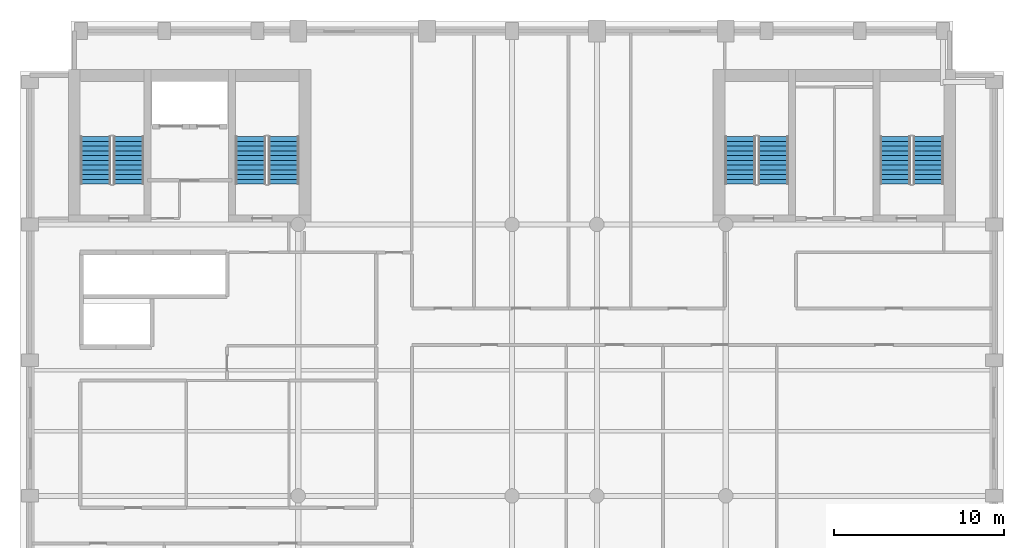
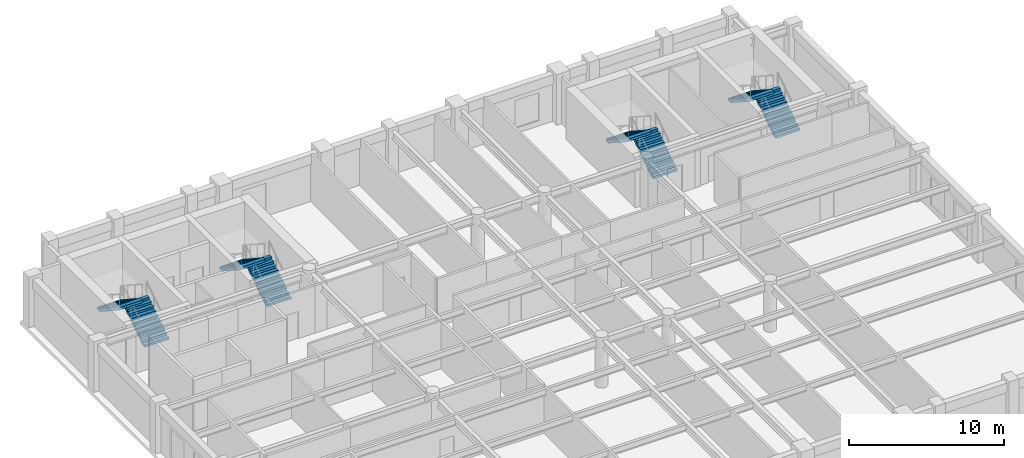
# One storey, part 6 of 8: 8 stair flights, 4 elements without a shape of their own.
"""IFC4 building model written with IfcOpenShell, lengths in metres."""

from ifc_helpers import new_model, si_unit, direction, frame, origin, place, context, subcontext, project, spatial, polyline, outline, extrude, material, type_object, element, aggregate, save


model = new_model("IFC4")

# Units and contexts
model_context = context("Model", 3, precision=1e-05, world=origin(), true_north=direction((0.0, 1.0)))
body_context = subcontext(model_context, "Body", "Model", "MODEL_VIEW")
ifc_project = project(units=[si_unit("LENGTHUNIT", "METRE"), si_unit("AREAUNIT", "SQUARE_METRE"), si_unit("VOLUMEUNIT", "CUBIC_METRE"), si_unit("PLANEANGLEUNIT", "RADIAN"), si_unit("MASSUNIT", "GRAM", prefix="KILO")], contexts=[model_context])

# Site, building, storey
site_placement = place(None, origin())
site = spatial("IfcSite", under=ifc_project, at=site_placement, CompositionType="ELEMENT")
building_placement = place(site_placement, origin())
building = spatial("IfcBuilding", under=site, at=building_placement, Name="Sulina Concourse Tower", CompositionType="ELEMENT")
storey_placement = place(building_placement, frame((0.0, 0.0, 222.60009765625)))
storey = spatial("IfcBuildingStorey", under=building, at=storey_placement, Name="L54", CompositionType="ELEMENT", Elevation=222.60009765625)

# Stair, stair flights
ifc_material_1 = material(Name="Concrete C50/60", Category="concrete")
stair_type_1 = type_object("IfcStairType", Name="Portal & Podium Core Exit Stair 1820mm", PredefinedType="HALF_TURN_STAIR", material=ifc_material_1)
stair_1_placement = place(storey_placement, origin())
stair_1 = element("IfcStair", 1, at=stair_1_placement, inside=storey, type_object=stair_type_1, Name="L54 ST-3", PredefinedType="HALF_TURN_STAIR")
ifc_material_2 = material(Name="Concrete C50/60", Category="concrete")
stair_flight_type_1 = type_object("IfcStairFlightType", Name="Portal & Podium Core Exit Stair 1820mm Flight", PredefinedType="STRAIGHT", material=ifc_material_2)
stair_flight_1_placement = place(storey_placement, frame((44.405029296875, 36.375, 0.0), z_axis=(0.0, 0.0, 1.0), x_axis=(0.0, 1.0, 0.0)))
stair_flight_1 = element("IfcStairFlight", 2, at=stair_flight_1_placement, type_object=stair_flight_type_1, Name="ST-3 flight 1", NumberOfRisers=11, NumberOfTreads=10, PredefinedType="STRAIGHT", RiserHeight=0.181818182, TreadLength=0.28, context=body_context, shape_type="SweptSolid", body=[
    extrude(outline(polyline([(0.0, 0.0), (0.0, 0.181884765625), (0.280029296875, 0.181884765625), (0.280029296875, 0.363525390625), (0.56005859375, 0.363525390625), (0.56005859375, 0.54541015625), (0.840087890625, 0.54541015625), (0.840087890625, 0.727294921875), (1.1201171875, 0.727294921875), (1.1201171875, 0.9091796875), (1.39990234375, 0.9091796875), (1.39990234375, 1.0908203125), (1.679931640625, 1.0908203125), (1.679931640625, 1.272705078125), (1.9599609375, 1.272705078125), (1.9599609375, 1.45458984375), (2.239990234375, 1.45458984375), (2.239990234375, 1.636474609375), (2.52001953125, 1.636474609375), (2.52001953125, 1.818115234375), (2.800048828125, 1.818115234375), (2.800048828125, 2.0), (2.800048828125, 1.603759765625), (0.330322265625, 0.0), (0.0, 0.0)])), frame((0.0, 0.89990234375, 0.0), z_axis=(0.0, -1.0, 0.0), x_axis=(1.0, 0.0, 0.0)), (0.0, 0.0, 1.0), 1.800048828125),
])
stair_flight_2_placement = place(storey_placement, frame((42.455078125, 39.175048828125, 2.0), z_axis=(0.0, 0.0, 1.0), x_axis=(0.0, -1.0, 0.0)))
stair_flight_2 = element("IfcStairFlight", 3, at=stair_flight_2_placement, type_object=stair_flight_type_1, Name="ST-3 flight 2", NumberOfRisers=11, NumberOfTreads=10, PredefinedType="STRAIGHT", RiserHeight=0.181818182, TreadLength=0.28, context=body_context, shape_type="SweptSolid", body=[
    extrude(outline(polyline([(0.0, 0.0), (0.0, 0.181884765625), (0.280029296875, 0.181884765625), (0.280029296875, 0.363525390625), (0.56005859375, 0.363525390625), (0.56005859375, 0.54541015625), (0.840087890625, 0.54541015625), (0.840087890625, 0.727294921875), (1.1201171875, 0.727294921875), (1.1201171875, 0.9091796875), (1.39990234375, 0.9091796875), (1.39990234375, 1.0908203125), (1.679931640625, 1.0908203125), (1.679931640625, 1.272705078125), (1.9599609375, 1.272705078125), (1.9599609375, 1.45458984375), (2.239990234375, 1.45458984375), (2.239990234375, 1.636474609375), (2.52001953125, 1.636474609375), (2.52001953125, 1.818115234375), (2.800048828125, 1.818115234375), (2.800048828125, 2.0), (2.800048828125, 1.603759765625), (0.330322265625, 0.0), (0.0, 0.0)])), frame((0.0, 0.89990234375, 0.0), z_axis=(0.0, -1.0, 0.0), x_axis=(1.0, 0.0, 0.0)), (0.0, 0.0, 1.0), 1.800048828125),
])
aggregate(stair_1, [stair_flight_1, stair_flight_2])

stair_2_placement = place(storey_placement, origin())
stair_2 = element("IfcStair", 4, at=stair_2_placement, inside=storey, type_object=stair_type_1, Name="L54 ST-4", PredefinedType="HALF_TURN_STAIR")
stair_flight_3_placement = place(storey_placement, frame((53.544921875, 36.375, 0.0), z_axis=(0.0, 0.0, 1.0), x_axis=(0.0, 1.0, 0.0)))
stair_flight_3 = element("IfcStairFlight", 5, at=stair_flight_3_placement, type_object=stair_flight_type_1, Name="ST-4 flight 1", NumberOfRisers=11, NumberOfTreads=10, PredefinedType="STRAIGHT", RiserHeight=0.181818182, TreadLength=0.28, context=body_context, shape_type="SweptSolid", body=[
    extrude(outline(polyline([(0.0, 0.0), (0.0, 0.181884765625), (0.280029296875, 0.181884765625), (0.280029296875, 0.363525390625), (0.56005859375, 0.363525390625), (0.56005859375, 0.54541015625), (0.840087890625, 0.54541015625), (0.840087890625, 0.727294921875), (1.1201171875, 0.727294921875), (1.1201171875, 0.9091796875), (1.39990234375, 0.9091796875), (1.39990234375, 1.0908203125), (1.679931640625, 1.0908203125), (1.679931640625, 1.272705078125), (1.9599609375, 1.272705078125), (1.9599609375, 1.45458984375), (2.239990234375, 1.45458984375), (2.239990234375, 1.636474609375), (2.52001953125, 1.636474609375), (2.52001953125, 1.818115234375), (2.800048828125, 1.818115234375), (2.800048828125, 2.0), (2.800048828125, 1.603759765625), (0.330322265625, 0.0), (0.0, 0.0)])), frame((0.0, 0.89990234375, 0.0), z_axis=(0.0, -1.0, 0.0), x_axis=(1.0, 0.0, 0.0)), (0.0, 0.0, 1.0), 1.800048828125),
])
stair_flight_4_placement = place(storey_placement, frame((51.594970703125, 39.175048828125, 2.0), z_axis=(0.0, 0.0, 1.0), x_axis=(0.0, -1.0, 0.0)))
stair_flight_4 = element("IfcStairFlight", 6, at=stair_flight_4_placement, type_object=stair_flight_type_1, Name="ST-4 flight 2", NumberOfRisers=11, NumberOfTreads=10, PredefinedType="STRAIGHT", RiserHeight=0.181818182, TreadLength=0.28, context=body_context, shape_type="SweptSolid", body=[
    extrude(outline(polyline([(0.0, 0.0), (0.0, 0.181884765625), (0.280029296875, 0.181884765625), (0.280029296875, 0.363525390625), (0.56005859375, 0.363525390625), (0.56005859375, 0.54541015625), (0.840087890625, 0.54541015625), (0.840087890625, 0.727294921875), (1.1201171875, 0.727294921875), (1.1201171875, 0.9091796875), (1.39990234375, 0.9091796875), (1.39990234375, 1.0908203125), (1.679931640625, 1.0908203125), (1.679931640625, 1.272705078125), (1.9599609375, 1.272705078125), (1.9599609375, 1.45458984375), (2.239990234375, 1.45458984375), (2.239990234375, 1.636474609375), (2.52001953125, 1.636474609375), (2.52001953125, 1.818115234375), (2.800048828125, 1.818115234375), (2.800048828125, 2.0), (2.800048828125, 1.603759765625), (0.330322265625, 0.0), (0.0, 0.0)])), frame((0.0, 0.89990234375, 0.0), z_axis=(0.0, -1.0, 0.0), x_axis=(1.0, 0.0, 0.0)), (0.0, 0.0, 1.0), 1.800048828125),
])
aggregate(stair_2, [stair_flight_3, stair_flight_4])

ifc_material_3 = material(Name="Concrete C50/60", Category="concrete")
stair_type_2 = type_object("IfcStairType", Name="Primary Core Dog-Leg Exit Stair 1800mm", PredefinedType="HALF_TURN_STAIR", material=ifc_material_3)
stair_3_placement = place(storey_placement, origin())
stair_3 = element("IfcStair", 7, at=stair_3_placement, inside=storey, type_object=stair_type_2, Name="L54 ST-1", PredefinedType="HALF_TURN_STAIR")
ifc_material_4 = material(Name="Concrete C50/60", Category="concrete")
stair_flight_type_2 = type_object("IfcStairFlightType", Name="Primary Core Dog-Leg Exit Stair 1800mm Flight", PredefinedType="STRAIGHT", material=ifc_material_4)
stair_flight_5_placement = place(storey_placement, frame((6.405029296875, 36.375, 0.0), z_axis=(0.0, 0.0, 1.0), x_axis=(0.0, 1.0, 0.0)))
stair_flight_5 = element("IfcStairFlight", 8, at=stair_flight_5_placement, type_object=stair_flight_type_2, Name="ST-1 flight 1", NumberOfRisers=11, NumberOfTreads=10, PredefinedType="STRAIGHT", RiserHeight=0.181818182, TreadLength=0.28, context=body_context, shape_type="SweptSolid", body=[
    extrude(outline(polyline([(0.0, 0.0), (0.0, 0.181884765625), (0.280029296875, 0.181884765625), (0.280029296875, 0.363525390625), (0.56005859375, 0.363525390625), (0.56005859375, 0.54541015625), (0.840087890625, 0.54541015625), (0.840087890625, 0.727294921875), (1.1201171875, 0.727294921875), (1.1201171875, 0.9091796875), (1.39990234375, 0.9091796875), (1.39990234375, 1.0908203125), (1.679931640625, 1.0908203125), (1.679931640625, 1.272705078125), (1.9599609375, 1.272705078125), (1.9599609375, 1.45458984375), (2.239990234375, 1.45458984375), (2.239990234375, 1.636474609375), (2.52001953125, 1.636474609375), (2.52001953125, 1.818115234375), (2.800048828125, 1.818115234375), (2.800048828125, 2.0), (2.800048828125, 1.603759765625), (0.330322265625, 0.0), (0.0, 0.0)])), frame((0.0, 0.89990234375, 0.0), z_axis=(0.0, -1.0, 0.0), x_axis=(1.0, 0.0, 0.0)), (0.0, 0.0, 1.0), 1.800048828125),
])
stair_flight_6_placement = place(storey_placement, frame((4.455078125, 39.175048828125, 2.0), z_axis=(0.0, 0.0, 1.0), x_axis=(0.0, -1.0, 0.0)))
stair_flight_6 = element("IfcStairFlight", 9, at=stair_flight_6_placement, type_object=stair_flight_type_2, Name="ST-1 flight 2", NumberOfRisers=11, NumberOfTreads=10, PredefinedType="STRAIGHT", RiserHeight=0.181818182, TreadLength=0.28, context=body_context, shape_type="SweptSolid", body=[
    extrude(outline(polyline([(0.0, 0.0), (0.0, 0.181884765625), (0.280029296875, 0.181884765625), (0.280029296875, 0.363525390625), (0.56005859375, 0.363525390625), (0.56005859375, 0.54541015625), (0.840087890625, 0.54541015625), (0.840087890625, 0.727294921875), (1.1201171875, 0.727294921875), (1.1201171875, 0.9091796875), (1.39990234375, 0.9091796875), (1.39990234375, 1.0908203125), (1.679931640625, 1.0908203125), (1.679931640625, 1.272705078125), (1.9599609375, 1.272705078125), (1.9599609375, 1.45458984375), (2.239990234375, 1.45458984375), (2.239990234375, 1.636474609375), (2.52001953125, 1.636474609375), (2.52001953125, 1.818115234375), (2.800048828125, 1.818115234375), (2.800048828125, 2.0), (2.800048828125, 1.603759765625), (0.330322265625, 0.0), (0.0, 0.0)])), frame((0.0, 0.89990234375, 0.0), z_axis=(0.0, -1.0, 0.0), x_axis=(1.0, 0.0, 0.0)), (0.0, 0.0, 1.0), 1.800048828125),
])
aggregate(stair_3, [stair_flight_5, stair_flight_6])

stair_4_placement = place(storey_placement, origin())
stair_4 = element("IfcStair", 10, at=stair_4_placement, inside=storey, type_object=stair_type_2, Name="L54 ST-2", PredefinedType="HALF_TURN_STAIR")
stair_flight_7_placement = place(storey_placement, frame((15.544921875, 36.375, 0.0), z_axis=(0.0, 0.0, 1.0), x_axis=(0.0, 1.0, 0.0)))
stair_flight_7 = element("IfcStairFlight", 11, at=stair_flight_7_placement, type_object=stair_flight_type_2, Name="ST-2 flight 1", NumberOfRisers=11, NumberOfTreads=10, PredefinedType="STRAIGHT", RiserHeight=0.181818182, TreadLength=0.28, context=body_context, shape_type="SweptSolid", body=[
    extrude(outline(polyline([(0.0, 0.0), (0.0, 0.181884765625), (0.280029296875, 0.181884765625), (0.280029296875, 0.363525390625), (0.56005859375, 0.363525390625), (0.56005859375, 0.54541015625), (0.840087890625, 0.54541015625), (0.840087890625, 0.727294921875), (1.1201171875, 0.727294921875), (1.1201171875, 0.9091796875), (1.39990234375, 0.9091796875), (1.39990234375, 1.0908203125), (1.679931640625, 1.0908203125), (1.679931640625, 1.272705078125), (1.9599609375, 1.272705078125), (1.9599609375, 1.45458984375), (2.239990234375, 1.45458984375), (2.239990234375, 1.636474609375), (2.52001953125, 1.636474609375), (2.52001953125, 1.818115234375), (2.800048828125, 1.818115234375), (2.800048828125, 2.0), (2.800048828125, 1.603759765625), (0.330322265625, 0.0), (0.0, 0.0)])), frame((0.0, 0.89990234375, 0.0), z_axis=(0.0, -1.0, 0.0), x_axis=(1.0, 0.0, 0.0)), (0.0, 0.0, 1.0), 1.800048828125),
])
stair_flight_8_placement = place(storey_placement, frame((13.594970703125, 39.175048828125, 2.0), z_axis=(0.0, 0.0, 1.0), x_axis=(0.0, -1.0, 0.0)))
stair_flight_8 = element("IfcStairFlight", 12, at=stair_flight_8_placement, type_object=stair_flight_type_2, Name="ST-2 flight 2", NumberOfRisers=11, NumberOfTreads=10, PredefinedType="STRAIGHT", RiserHeight=0.181818182, TreadLength=0.28, context=body_context, shape_type="SweptSolid", body=[
    extrude(outline(polyline([(0.0, 0.0), (0.0, 0.181884765625), (0.280029296875, 0.181884765625), (0.280029296875, 0.363525390625), (0.56005859375, 0.363525390625), (0.56005859375, 0.54541015625), (0.840087890625, 0.54541015625), (0.840087890625, 0.727294921875), (1.1201171875, 0.727294921875), (1.1201171875, 0.9091796875), (1.39990234375, 0.9091796875), (1.39990234375, 1.0908203125), (1.679931640625, 1.0908203125), (1.679931640625, 1.272705078125), (1.9599609375, 1.272705078125), (1.9599609375, 1.45458984375), (2.239990234375, 1.45458984375), (2.239990234375, 1.636474609375), (2.52001953125, 1.636474609375), (2.52001953125, 1.818115234375), (2.800048828125, 1.818115234375), (2.800048828125, 2.0), (2.800048828125, 1.603759765625), (0.330322265625, 0.0), (0.0, 0.0)])), frame((0.0, 0.89990234375, 0.0), z_axis=(0.0, -1.0, 0.0), x_axis=(1.0, 0.0, 0.0)), (0.0, 0.0, 1.0), 1.800048828125),
])
aggregate(stair_4, [stair_flight_7, stair_flight_8])

save(model, "model.ifc")
